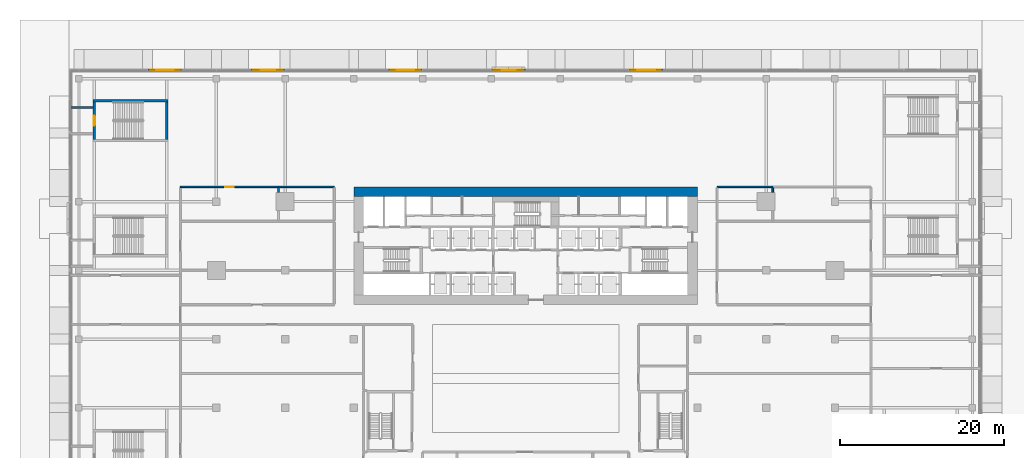
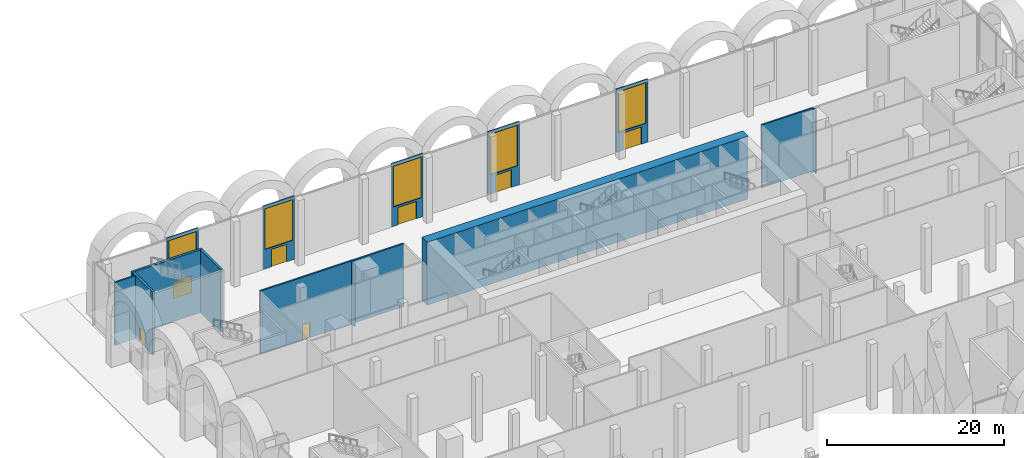
# One storey, part 29 of 43: 15 walls, 7 doors, 5 windows, 12 openings.
"""IFC4 building model written with IfcOpenShell, lengths in metres."""

from ifc_helpers import new_model, si_unit, direction, frame, frame_2d, origin, place, context, subcontext, project, spatial, rectangle, extrude, material, layer, layer_set, type_object, element, fill, save


model = new_model("IFC4")

# Units and contexts
model_context = context("Model", 3, precision=1e-05, world=origin(), true_north=direction((0.0, 1.0)))
body_context = subcontext(model_context, "Body", "Model", "MODEL_VIEW")
ifc_project = project(units=[si_unit("LENGTHUNIT", "METRE"), si_unit("AREAUNIT", "SQUARE_METRE"), si_unit("VOLUMEUNIT", "CUBIC_METRE"), si_unit("PLANEANGLEUNIT", "RADIAN"), si_unit("MASSUNIT", "GRAM", prefix="KILO")], contexts=[model_context])

# Site, building, storey
site_placement = place(None, origin())
site = spatial("IfcSite", under=ifc_project, at=site_placement, CompositionType="ELEMENT")
building_placement = place(site_placement, origin())
building = spatial("IfcBuilding", under=site, at=building_placement, Name="Saffron Gate Tower", CompositionType="ELEMENT")
storey_placement = place(building_placement, origin())
storey = spatial("IfcBuildingStorey", under=building, at=storey_placement, Name="L00", CompositionType="ELEMENT", Elevation=0.0)

# Walls
ifc_material_1 = material(Name="Concrete C70", Category="concrete")
ifc_layer_1 = layer(ifc_material_1, 1.199951171875)
ifc_layer_set_1 = layer_set([ifc_layer_1], Name="CW1 RC core wall 1200 C70")
wall_type_1 = type_object("IfcWallType", Name="CW1 RC core wall 1200 C70", PredefinedType="SOLIDWALL", material=ifc_layer_set_1)
wall_1_placement = place(storey_placement, frame((66.60009765625, 75.0, 0.0), z_axis=(0.0, 0.0, 1.0), x_axis=(1.0, 0.0, 0.0)))
element("IfcWall", 1, at=wall_1_placement, inside=storey, type_object=wall_type_1, Name="Wall CW1-L00-2", PredefinedType="SOLIDWALL", context=body_context, shape_type="SweptSolid", body=[
    extrude(rectangle(XDim=42.0, YDim=1.199951171875, at=frame_2d((21.0, 0.0))), origin(), (0.0, 0.0, 1.0), 8.699951171875),
])
ifc_material_2 = material(Name="Gypsum board partition on steel studs", Category="steel")
ifc_layer_2 = layer(ifc_material_2, 0.199951171875)
ifc_layer_set_2 = layer_set([ifc_layer_2], Name="CW10 Core partition 200")
wall_type_2 = type_object("IfcWallType", Name="CW10 Core partition 200", PredefinedType="PARTITIONING", material=ifc_layer_set_2)
wall_2_placement = place(storey_placement, frame((32.0, 85.300048828125, 0.0), z_axis=(0.0, 0.0, 1.0), x_axis=(1.0, 0.0, 0.0)))
element("IfcWall", 2, at=wall_2_placement, inside=storey, type_object=wall_type_2, Name="Wall CW10-L00-XS-FB", PredefinedType="PARTITIONING", context=body_context, shape_type="SweptSolid", body=[
    extrude(rectangle(XDim=2.699951171875, YDim=0.199951171875, at=frame_2d((1.35009765625, 0.0))), origin(), (0.0, 0.0, 1.0), 8.699951171875),
])

# Wall, opening, door
ifc_layer_3 = layer(ifc_material_1, 0.300048828125)
ifc_layer_set_3 = layer_set([ifc_layer_3], Name="CW5 RC core wall 300 C70")
wall_type_3 = type_object("IfcWallType", Name="CW5 RC core wall 300 C70", PredefinedType="SOLIDWALL", material=ifc_layer_set_3)
wall_3_placement = place(storey_placement, frame((34.85009765625, 81.425048828125, 0.0), z_axis=(0.0, 0.0, 1.0), x_axis=(0.0, 1.0, 0.0)))
wall_3 = element("IfcWall", 3, at=wall_3_placement, inside=storey, type_object=wall_type_3, Name="Wall CW5-L00-F-2", PredefinedType="SOLIDWALL", context=body_context, shape_type="SweptSolid", body=[
    extrude(rectangle(XDim=4.550048828125, YDim=0.300048828125, at=frame_2d((2.27490234375, 0.0))), origin(), (0.0, 0.0, 1.0), 8.699951171875),
])
opening_1_placement = place(wall_3_placement, frame((1.675048828125, 0.0, 0.0)))
opening_1 = element("IfcOpeningElement", 4, at=opening_1_placement, cuts=wall_3, Name="Opening CR-24", PredefinedType="OPENING", context=body_context, shape_type="SweptSolid", body=[
    extrude(rectangle(XDim=1.199951171875, YDim=2.10009765625, at=frame_2d((0.60009765625, 1.050048828125))), frame((0.0, 0.16015625, 0.0), z_axis=(0.0, -1.0, 0.0), x_axis=(1.0, 0.0, 0.0)), (0.0, 0.0, 1.0), 0.320068359375),
])
ifc_material_3 = material(Name="Steel fire door set", Category="steel")
door_type_1 = type_object("IfcDoorType", Name="CD12 Stair door 1200x2100 EI 120", OperationType="NOTDEFINED", PredefinedType="DOOR", material=ifc_material_3)
door_1_placement = place(opening_1_placement, origin())
door_1 = element("IfcDoor", 5, at=door_1_placement, inside=storey, type_object=door_type_1, Name="DOOR CR-24", OperationType="SINGLE_SWING_LEFT", OverallHeight=2.10009765625, OverallWidth=1.199951171875, PredefinedType="DOOR", context=body_context, shape_type="SweptSolid", body=[
    extrude(rectangle(XDim=1.199951171875, YDim=2.10009765625, at=frame_2d((0.60009765625, 1.050048828125))), frame((0.0, 0.02490234375, 0.0), z_axis=(0.0, -1.0, 0.0), x_axis=(1.0, 0.0, 0.0)), (0.0, 0.0, 1.0), 0.050048828125),
])
fill(opening_1, door_1)

# Walls
wall_4_placement = place(storey_placement, frame((43.75, 81.425048828125, 0.0), z_axis=(0.0, 0.0, 1.0), x_axis=(0.0, 1.0, 0.0)))
element("IfcWall", 6, at=wall_4_placement, inside=storey, type_object=wall_type_3, Name="Wall CW5-L00-F-3", PredefinedType="SOLIDWALL", context=body_context, shape_type="SweptSolid", body=[
    extrude(rectangle(XDim=4.550048828125, YDim=0.300048828125, at=frame_2d((2.27490234375, 0.0))), origin(), (0.0, 0.0, 1.0), 8.699951171875),
])
wall_5_placement = place(storey_placement, frame((34.699951171875, 86.125, 0.0), z_axis=(0.0, 0.0, 1.0), x_axis=(1.0, 0.0, 0.0)))
element("IfcWall", 7, at=wall_5_placement, inside=storey, type_object=wall_type_3, Name="Wall CW5-L00-F-4", PredefinedType="SOLIDWALL", context=body_context, shape_type="SweptSolid", body=[
    extrude(rectangle(XDim=9.199951171875, YDim=0.300048828125, at=frame_2d((4.60009765625, 0.0))), origin(), (0.0, 0.0, 1.0), 8.699951171875),
])

# Wall, opening, door
ifc_material_4 = material(Name="Clay brick masonry, rendered", Category="masonry")
ifc_layer_4 = layer(ifc_material_4, 0.199951171875)
ifc_layer_set_4 = layer_set([ifc_layer_4], Name="PW3 Corridor wall 200")
wall_type_4 = type_object("IfcWallType", Name="PW3 Corridor wall 200", PredefinedType="PARTITIONING", material=ifc_layer_set_4)
wall_6_placement = place(storey_placement, frame((57.39990234375, 75.60009765625, 0.0), z_axis=(0.0, 0.0, 1.0), x_axis=(-1.0, 0.0, 0.0)))
wall_6 = element("IfcWall", 8, at=wall_6_placement, inside=storey, type_object=wall_type_4, Name="Wall P0-27", PredefinedType="PARTITIONING", context=body_context, shape_type="SweptSolid", body=[
    extrude(rectangle(XDim=12.0, YDim=0.199951171875, at=frame_2d((6.0, 0.0))), origin(), (0.0, 0.0, 1.0), 8.699951171875),
])
opening_2_placement = place(wall_6_placement, frame((5.5, 0.0, 0.0)))
opening_2 = element("IfcOpeningElement", 9, at=opening_2_placement, cuts=wall_6, Name="Opening P0-2", PredefinedType="OPENING", context=body_context, shape_type="SweptSolid", body=[
    extrude(rectangle(XDim=1.0, YDim=2.10009765625, at=frame_2d((0.5, 1.050048828125))), frame((0.0, 0.10986328125, 0.0), z_axis=(0.0, -1.0, 0.0), x_axis=(1.0, 0.0, 0.0)), (0.0, 0.0, 1.0), 0.219970703125),
])
ifc_material_5 = material(Name="Timber door set", Category="wood")
door_type_2 = type_object("IfcDoorType", Name="RD1 Room door 900x2100", OperationType="NOTDEFINED", PredefinedType="DOOR", material=ifc_material_5)
door_2_placement = place(opening_2_placement, origin())
door_2 = element("IfcDoor", 10, at=door_2_placement, inside=storey, type_object=door_type_2, Name="Door P0-2", OperationType="SINGLE_SWING_RIGHT", OverallHeight=2.10009765625, OverallWidth=1.0, PredefinedType="DOOR", context=body_context, shape_type="SweptSolid", body=[
    extrude(rectangle(XDim=1.0, YDim=2.10009765625, at=frame_2d((0.5, 1.050048828125))), frame((0.0, 0.02490234375, 0.0), z_axis=(0.0, -1.0, 0.0), x_axis=(1.0, 0.0, 0.0)), (0.0, 0.0, 1.0), 0.050048828125),
])
fill(opening_2, door_2)

# Walls
ifc_layer_5 = layer(ifc_material_4, 0.199951171875)
ifc_layer_set_5 = layer_set([ifc_layer_5], Name="PW5 Room wall 200")
wall_type_5 = type_object("IfcWallType", Name="PW5 Room wall 200", PredefinedType="PARTITIONING", material=ifc_layer_set_5)
for number, where, z_axis, x_axis, name in (
    (11, (57.419921875, 75.60009765625, 0.0), (0.0, 0.0, 1.0), (1.0, 0.0, 0.0), "Wall P0-29"),
    (12, (111.02001953125, 75.60009765625, 0.0), (0.0, 0.0, 1.0), (1.0, 0.0, 0.0), "Wall P0-30"),
):
    element("IfcWall", number, at=place(storey_placement, frame(where, z_axis=z_axis, x_axis=x_axis)), inside=storey, type_object=wall_type_5, Name=name, PredefinedType="PARTITIONING", context=body_context, shape_type="SweptSolid", body=[
        extrude(rectangle(XDim=6.760009765625, YDim=0.199951171875, at=frame_2d((3.3798828125, 0.0))), origin(), (0.0, 0.0, 1.0), 8.699951171875),
    ])
for number, where, z_axis, x_axis, name in (
    (13, (57.39990234375, 75.5, 0.0), (0.0, 0.0, 1.0), (0.0, -1.0, 0.0), "Wall P0-34"),
    (14, (117.800048828125, 75.5, 0.0), (0.0, 0.0, 1.0), (0.0, -1.0, 0.0), "Wall P0-56"),
):
    element("IfcWall", number, at=place(storey_placement, frame(where, z_axis=z_axis, x_axis=x_axis)), inside=storey, type_object=wall_type_5, Name=name, PredefinedType="PARTITIONING", context=body_context, shape_type="SweptSolid", body=[
        extrude(rectangle(XDim=0.580078125, YDim=0.199951171875, at=frame_2d((0.2900390625, 0.0))), origin(), (0.0, 0.0, 1.0), 8.699951171875),
    ])

# Wall, openings, door, window
ifc_material_6 = material(Name="Reinforced concrete C40/50 clad in bronze panels", Category="concrete")
ifc_layer_6 = layer(ifc_material_6, 0.199951171875)
ifc_layer_set_6 = layer_set([ifc_layer_6], Name="WBAY1 entrance bay wall")
wall_type_6 = type_object("IfcWallType", Name="WBAY1 entrance bay wall", PredefinedType="SOLIDWALL", material=ifc_layer_set_6)
wall_7_placement = place(storey_placement, frame((83.43994140625, 89.89990234375, 0.0), z_axis=(0.0, 0.0, 1.0), x_axis=(1.0, 0.0, 0.0)))
wall_7 = element("IfcWall", 15, at=wall_7_placement, inside=storey, type_object=wall_type_6, Name="ENTRANCE BAY wall", PredefinedType="SOLIDWALL", context=body_context, shape_type="SweptSolid", body=[
    extrude(rectangle(XDim=4.1201171875, YDim=0.199951171875, at=frame_2d((2.06005859375, 0.0))), origin(), (0.0, 0.0, 1.0), 8.699951171875),
])
opening_3_placement = place(wall_7_placement, frame((1.06005859375, 0.0, 0.0)))
opening_3 = element("IfcOpeningElement", 16, at=opening_3_placement, cuts=wall_7, Name="Opening E04", PredefinedType="OPENING", context=body_context, shape_type="SweptSolid", body=[
    extrude(rectangle(XDim=2.0, YDim=2.39990234375, at=frame_2d((1.0, 1.199951171875))), frame((0.0, 0.10986328125, 0.0), z_axis=(0.0, -1.0, 0.0), x_axis=(1.0, 0.0, 0.0)), (0.0, 0.0, 1.0), 0.219970703125),
])
opening_4_placement = place(wall_7_placement, frame((0.260009765625, 0.0, 2.699951171875)))
opening_4 = element("IfcOpeningElement", 17, at=opening_4_placement, cuts=wall_7, Name="Opening W9", PredefinedType="OPENING", context=body_context, shape_type="SweptSolid", body=[
    extrude(rectangle(XDim=3.60009765625, YDim=5.60009765625, at=frame_2d((1.800048828125, 2.800048828125))), frame((0.0, 0.10986328125, 0.0), z_axis=(0.0, -1.0, 0.0), x_axis=(1.0, 0.0, 0.0)), (0.0, 0.0, 1.0), 0.219970703125),
])
ifc_material_7 = material(Name="Bronze-framed toughened glass", Category="glass")
ifc_layer_7 = layer(ifc_material_7, 0.050048828125)
ifc_layer_set_7 = layer_set([ifc_layer_7], Name="D1 external double door 2000x2400")
door_type_3 = type_object("IfcDoorType", Name="D1 external double door 2000x2400", OperationType="DOUBLE_DOOR_SINGLE_SWING", PredefinedType="DOOR", material=ifc_layer_set_7)
door_3_placement = place(opening_3_placement, origin())
door_3 = element("IfcDoor", 18, at=door_3_placement, inside=storey, type_object=door_type_3, Name="DOOR E04", OperationType="DOUBLE_DOOR_SINGLE_SWING", OverallHeight=2.39990234375, OverallWidth=2.0, PredefinedType="DOOR", context=body_context, shape_type="SweptSolid", body=[
    extrude(rectangle(XDim=2.0, YDim=2.39990234375, at=frame_2d((1.0, 1.199951171875))), frame((0.0, 0.02490234375, 0.0), z_axis=(0.0, -1.0, 0.0), x_axis=(1.0, 0.0, 0.0)), (0.0, 0.0, 1.0), 0.050048828125),
])
fill(opening_3, door_3)
ifc_material_8 = material(Name="Clear low-iron laminated glass in bronze frame", Category="glass")
ifc_layer_8 = layer(ifc_material_8, 0.06005859375)
ifc_layer_set_8 = layer_set([ifc_layer_8], Name="W9 entrance light")
window_type = type_object("IfcWindowType", Name="W9 entrance light", PartitioningType="SINGLE_PANEL", PredefinedType="WINDOW", material=ifc_layer_set_8)
window_1_placement = place(opening_4_placement, origin())
window_1 = element("IfcWindow", 19, at=window_1_placement, inside=storey, type_object=window_type, Name="W9 entrance light", OverallHeight=5.60009765625, OverallWidth=3.60009765625, PartitioningType="SINGLE_PANEL", PredefinedType="WINDOW", context=body_context, shape_type="SweptSolid", body=[
    extrude(rectangle(XDim=3.60009765625, YDim=5.60009765625, at=frame_2d((1.800048828125, 2.800048828125))), frame((0.0, 0.030029296875, 0.0), z_axis=(0.0, -1.0, 0.0), x_axis=(1.0, 0.0, 0.0)), (0.0, 0.0, 1.0), 0.06005859375),
])
fill(opening_4, window_1)

wall_8_placement = place(storey_placement, frame((54.0400390625, 89.89990234375, 0.0), z_axis=(0.0, 0.0, 1.0), x_axis=(1.0, 0.0, 0.0)))
wall_8 = element("IfcWall", 20, at=wall_8_placement, inside=storey, type_object=wall_type_6, Name="ENTRANCE BAY wall", PredefinedType="SOLIDWALL", context=body_context, shape_type="SweptSolid", body=[
    extrude(rectangle(XDim=4.119873046875, YDim=0.199951171875, at=frame_2d((2.06005859375, 0.0))), origin(), (0.0, 0.0, 1.0), 8.699951171875),
])
opening_5_placement = place(wall_8_placement, frame((1.06005859375, 0.0, 0.0)))
opening_5 = element("IfcOpeningElement", 21, at=opening_5_placement, cuts=wall_8, Name="Opening E05", PredefinedType="OPENING", context=body_context, shape_type="SweptSolid", body=[
    extrude(rectangle(XDim=2.0, YDim=2.39990234375, at=frame_2d((1.0, 1.199951171875))), frame((0.0, 0.10986328125, 0.0), z_axis=(0.0, -1.0, 0.0), x_axis=(1.0, 0.0, 0.0)), (0.0, 0.0, 1.0), 0.219970703125),
])
opening_6_placement = place(wall_8_placement, frame((0.260009765625, 0.0, 2.699951171875)))
opening_6 = element("IfcOpeningElement", 22, at=opening_6_placement, cuts=wall_8, Name="Opening W9", PredefinedType="OPENING", context=body_context, shape_type="SweptSolid", body=[
    extrude(rectangle(XDim=3.60009765625, YDim=5.60009765625, at=frame_2d((1.800048828125, 2.800048828125))), frame((0.0, 0.10986328125, 0.0), z_axis=(0.0, -1.0, 0.0), x_axis=(1.0, 0.0, 0.0)), (0.0, 0.0, 1.0), 0.219970703125),
])
ifc_material_9 = material(Name="Bronze lattice gate, anodised aluminium", Category="aluminium")
ifc_layer_9 = layer(ifc_material_9, 0.050048828125)
ifc_layer_set_9 = layer_set([ifc_layer_9], Name="G1 entrance gate 2000x2400")
door_type_4 = type_object("IfcDoorType", Name="G1 entrance gate 2000x2400", OperationType="DOUBLE_DOOR_SINGLE_SWING", PredefinedType="GATE", material=ifc_layer_set_9)
door_4_placement = place(opening_5_placement, origin())
door_4 = element("IfcDoor", 23, at=door_4_placement, inside=storey, type_object=door_type_4, Name="GATE E05", OperationType="DOUBLE_DOOR_SINGLE_SWING", OverallHeight=2.39990234375, OverallWidth=2.0, PredefinedType="GATE", context=body_context, shape_type="SweptSolid", body=[
    extrude(rectangle(XDim=2.0, YDim=2.39990234375, at=frame_2d((1.0, 1.199951171875))), frame((0.0, 0.02490234375, 0.0), z_axis=(0.0, -1.0, 0.0), x_axis=(1.0, 0.0, 0.0)), (0.0, 0.0, 1.0), 0.050048828125),
])
fill(opening_5, door_4)
window_2_placement = place(opening_6_placement, origin())
window_2 = element("IfcWindow", 24, at=window_2_placement, inside=storey, type_object=window_type, Name="W9 entrance light", OverallHeight=5.60009765625, OverallWidth=3.60009765625, PartitioningType="SINGLE_PANEL", PredefinedType="WINDOW", context=body_context, shape_type="SweptSolid", body=[
    extrude(rectangle(XDim=3.60009765625, YDim=5.60009765625, at=frame_2d((1.800048828125, 2.800048828125))), frame((0.0, 0.030029296875, 0.0), z_axis=(0.0, -1.0, 0.0), x_axis=(1.0, 0.0, 0.0)), (0.0, 0.0, 1.0), 0.06005859375),
])
fill(opening_6, window_2)

# Wall, openings, window, door
wall_9_placement = place(storey_placement, frame((70.840087890625, 89.89990234375, 0.0), z_axis=(0.0, 0.0, 1.0), x_axis=(1.0, 0.0, 0.0)))
wall_9 = element("IfcWall", 25, at=wall_9_placement, inside=storey, type_object=wall_type_6, Name="ENTRANCE BAY wall", PredefinedType="SOLIDWALL", context=body_context, shape_type="SweptSolid", body=[
    extrude(rectangle(XDim=4.119873046875, YDim=0.199951171875, at=frame_2d((2.06005859375, 0.0))), origin(), (0.0, 0.0, 1.0), 8.699951171875),
])
opening_7_placement = place(wall_9_placement, frame((0.860107421875, 0.0, 0.0)))
opening_7 = element("IfcOpeningElement", 26, at=opening_7_placement, cuts=wall_9, Name="Opening E13", PredefinedType="OPENING", context=body_context, shape_type="SweptSolid", body=[
    extrude(rectangle(XDim=2.39990234375, YDim=2.39990234375, at=frame_2d((1.199951171875, 1.199951171875))), frame((0.0, 0.10986328125, 0.0), z_axis=(0.0, -1.0, 0.0), x_axis=(1.0, 0.0, 0.0)), (0.0, 0.0, 1.0), 0.219970703125),
])
opening_8_placement = place(wall_9_placement, frame((0.260009765625, 0.0, 2.699951171875)))
opening_8 = element("IfcOpeningElement", 27, at=opening_8_placement, cuts=wall_9, Name="Opening W9", PredefinedType="OPENING", context=body_context, shape_type="SweptSolid", body=[
    extrude(rectangle(XDim=3.60009765625, YDim=5.60009765625, at=frame_2d((1.800048828125, 2.800048828125))), frame((0.0, 0.10986328125, 0.0), z_axis=(0.0, -1.0, 0.0), x_axis=(1.0, 0.0, 0.0)), (0.0, 0.0, 1.0), 0.219970703125),
])
window_3_placement = place(opening_8_placement, origin())
window_3 = element("IfcWindow", 28, at=window_3_placement, inside=storey, type_object=window_type, Name="W9 entrance light", OverallHeight=5.60009765625, OverallWidth=3.60009765625, PartitioningType="SINGLE_PANEL", PredefinedType="WINDOW", context=body_context, shape_type="SweptSolid", body=[
    extrude(rectangle(XDim=3.60009765625, YDim=5.60009765625, at=frame_2d((1.800048828125, 2.800048828125))), frame((0.0, 0.030029296875, 0.0), z_axis=(0.0, -1.0, 0.0), x_axis=(1.0, 0.0, 0.0)), (0.0, 0.0, 1.0), 0.06005859375),
])
fill(opening_8, window_3)
ifc_layer_10 = layer(ifc_material_7, 0.050048828125)
ifc_layer_set_10 = layer_set([ifc_layer_10], Name="X1 exit double door 2400x2400")
door_type_5 = type_object("IfcDoorType", Name="X1 exit double door 2400x2400", OperationType="DOUBLE_DOOR_SINGLE_SWING", PredefinedType="DOOR", material=ifc_layer_set_10)
door_5_placement = place(opening_7_placement, origin())
door_5 = element("IfcDoor", 29, at=door_5_placement, inside=storey, type_object=door_type_5, Name="EXIT E13", OperationType="DOUBLE_DOOR_SINGLE_SWING", OverallHeight=2.39990234375, OverallWidth=2.39990234375, PredefinedType="DOOR", context=body_context, shape_type="SweptSolid", body=[
    extrude(rectangle(XDim=2.39990234375, YDim=2.39990234375, at=frame_2d((1.199951171875, 1.199951171875))), frame((0.0, 0.02490234375, 0.0), z_axis=(0.0, -1.0, 0.0), x_axis=(1.0, 0.0, 0.0)), (0.0, 0.0, 1.0), 0.050048828125),
])
fill(opening_7, door_5)

wall_10_placement = place(storey_placement, frame((100.239990234375, 89.89990234375, 0.0), z_axis=(0.0, 0.0, 1.0), x_axis=(1.0, 0.0, 0.0)))
wall_10 = element("IfcWall", 30, at=wall_10_placement, inside=storey, type_object=wall_type_6, Name="ENTRANCE BAY wall", PredefinedType="SOLIDWALL", context=body_context, shape_type="SweptSolid", body=[
    extrude(rectangle(XDim=4.1201171875, YDim=0.199951171875, at=frame_2d((2.06005859375, 0.0))), origin(), (0.0, 0.0, 1.0), 8.699951171875),
])
opening_9_placement = place(wall_10_placement, frame((0.860107421875, 0.0, 0.0)))
opening_9 = element("IfcOpeningElement", 31, at=opening_9_placement, cuts=wall_10, Name="Opening E14", PredefinedType="OPENING", context=body_context, shape_type="SweptSolid", body=[
    extrude(rectangle(XDim=2.39990234375, YDim=2.39990234375, at=frame_2d((1.199951171875, 1.199951171875))), frame((0.0, 0.10986328125, 0.0), z_axis=(0.0, -1.0, 0.0), x_axis=(1.0, 0.0, 0.0)), (0.0, 0.0, 1.0), 0.219970703125),
])
opening_10_placement = place(wall_10_placement, frame((0.260009765625, 0.0, 2.699951171875)))
opening_10 = element("IfcOpeningElement", 32, at=opening_10_placement, cuts=wall_10, Name="Opening W9", PredefinedType="OPENING", context=body_context, shape_type="SweptSolid", body=[
    extrude(rectangle(XDim=3.60009765625, YDim=5.60009765625, at=frame_2d((1.800048828125, 2.800048828125))), frame((0.0, 0.10986328125, 0.0), z_axis=(0.0, -1.0, 0.0), x_axis=(1.0, 0.0, 0.0)), (0.0, 0.0, 1.0), 0.219970703125),
])
window_4_placement = place(opening_10_placement, origin())
window_4 = element("IfcWindow", 33, at=window_4_placement, inside=storey, type_object=window_type, Name="W9 entrance light", OverallHeight=5.60009765625, OverallWidth=3.60009765625, PartitioningType="SINGLE_PANEL", PredefinedType="WINDOW", context=body_context, shape_type="SweptSolid", body=[
    extrude(rectangle(XDim=3.60009765625, YDim=5.60009765625, at=frame_2d((1.800048828125, 2.800048828125))), frame((0.0, 0.030029296875, 0.0), z_axis=(0.0, -1.0, 0.0), x_axis=(1.0, 0.0, 0.0)), (0.0, 0.0, 1.0), 0.06005859375),
])
fill(opening_10, window_4)
door_6_placement = place(opening_9_placement, origin())
door_6 = element("IfcDoor", 34, at=door_6_placement, inside=storey, type_object=door_type_5, Name="EXIT E14", OperationType="DOUBLE_DOOR_SINGLE_SWING", OverallHeight=2.39990234375, OverallWidth=2.39990234375, PredefinedType="DOOR", context=body_context, shape_type="SweptSolid", body=[
    extrude(rectangle(XDim=2.39990234375, YDim=2.39990234375, at=frame_2d((1.199951171875, 1.199951171875))), frame((0.0, 0.02490234375, 0.0), z_axis=(0.0, -1.0, 0.0), x_axis=(1.0, 0.0, 0.0)), (0.0, 0.0, 1.0), 0.050048828125),
])
fill(opening_9, door_6)

wall_11_placement = place(storey_placement, frame((41.43994140625, 89.89990234375, 0.0), z_axis=(0.0, 0.0, 1.0), x_axis=(1.0, 0.0, 0.0)))
wall_11 = element("IfcWall", 35, at=wall_11_placement, inside=storey, type_object=wall_type_6, Name="ENTRANCE BAY wall", PredefinedType="SOLIDWALL", context=body_context, shape_type="SweptSolid", body=[
    extrude(rectangle(XDim=4.1201171875, YDim=0.199951171875, at=frame_2d((2.06005859375, 0.0))), origin(), (0.0, 0.0, 1.0), 8.699951171875),
])
opening_11_placement = place(wall_11_placement, frame((0.860107421875, 0.0, 0.0)))
opening_11 = element("IfcOpeningElement", 36, at=opening_11_placement, cuts=wall_11, Name="Opening E24", PredefinedType="OPENING", context=body_context, shape_type="SweptSolid", body=[
    extrude(rectangle(XDim=2.39990234375, YDim=2.39990234375, at=frame_2d((1.199951171875, 1.199951171875))), frame((0.0, 0.10986328125, 0.0), z_axis=(0.0, -1.0, 0.0), x_axis=(1.0, 0.0, 0.0)), (0.0, 0.0, 1.0), 0.219970703125),
])
opening_12_placement = place(wall_11_placement, frame((0.260009765625, 0.0, 2.699951171875)))
opening_12 = element("IfcOpeningElement", 37, at=opening_12_placement, cuts=wall_11, Name="Opening W9", PredefinedType="OPENING", context=body_context, shape_type="SweptSolid", body=[
    extrude(rectangle(XDim=3.60009765625, YDim=5.60009765625, at=frame_2d((1.800048828125, 2.800048828125))), frame((0.0, 0.10986328125, 0.0), z_axis=(0.0, -1.0, 0.0), x_axis=(1.0, 0.0, 0.0)), (0.0, 0.0, 1.0), 0.219970703125),
])
window_5_placement = place(opening_12_placement, origin())
window_5 = element("IfcWindow", 38, at=window_5_placement, inside=storey, type_object=window_type, Name="W9 entrance light", OverallHeight=5.60009765625, OverallWidth=3.60009765625, PartitioningType="SINGLE_PANEL", PredefinedType="WINDOW", context=body_context, shape_type="SweptSolid", body=[
    extrude(rectangle(XDim=3.60009765625, YDim=5.60009765625, at=frame_2d((1.800048828125, 2.800048828125))), frame((0.0, 0.030029296875, 0.0), z_axis=(0.0, -1.0, 0.0), x_axis=(1.0, 0.0, 0.0)), (0.0, 0.0, 1.0), 0.06005859375),
])
fill(opening_12, window_5)
door_7_placement = place(opening_11_placement, origin())
door_7 = element("IfcDoor", 39, at=door_7_placement, inside=storey, type_object=door_type_5, Name="EXIT E24", OperationType="DOUBLE_DOOR_SINGLE_SWING", OverallHeight=2.39990234375, OverallWidth=2.39990234375, PredefinedType="DOOR", context=body_context, shape_type="SweptSolid", body=[
    extrude(rectangle(XDim=2.39990234375, YDim=2.39990234375, at=frame_2d((1.199951171875, 1.199951171875))), frame((0.0, 0.02490234375, 0.0), z_axis=(0.0, -1.0, 0.0), x_axis=(1.0, 0.0, 0.0)), (0.0, 0.0, 1.0), 0.050048828125),
])
fill(opening_11, door_7)

save(model, "model.ifc")
